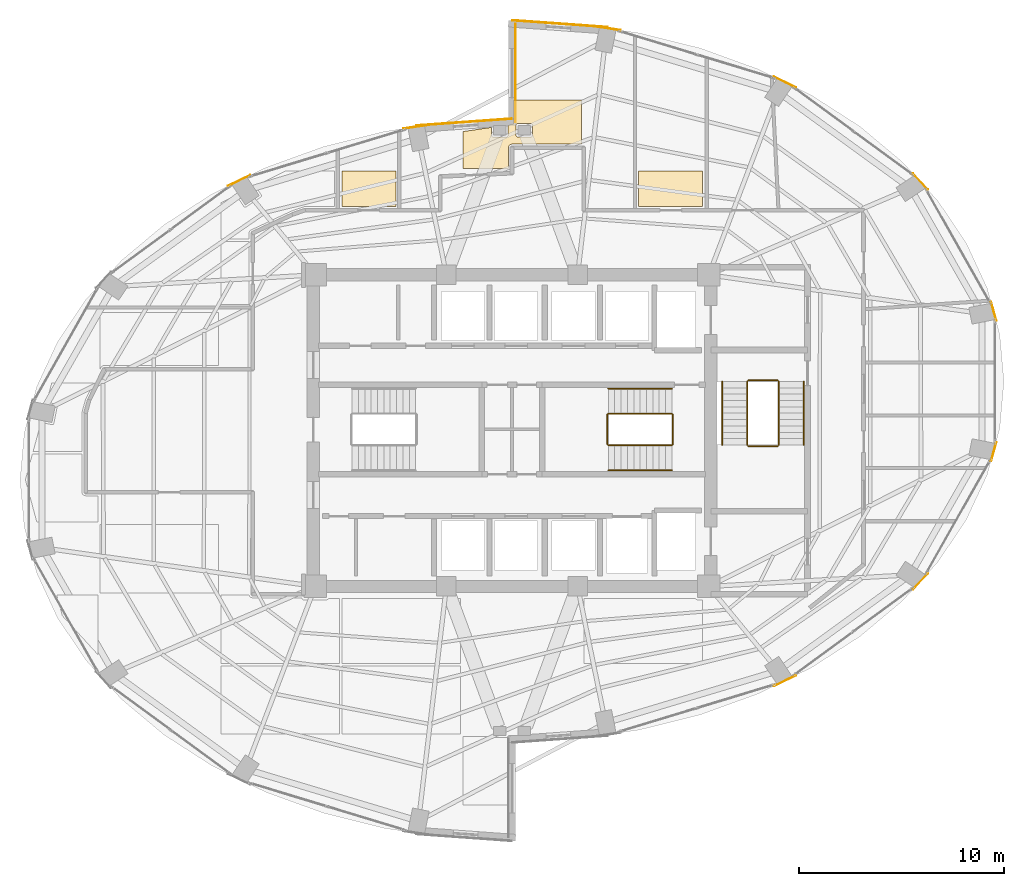
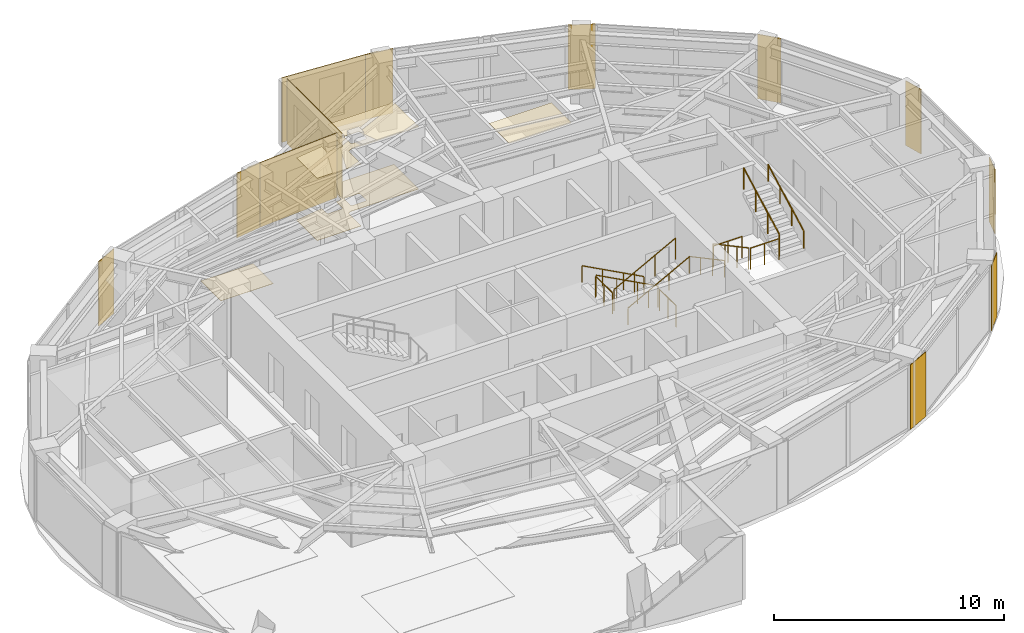
# One storey, part 20 of 20: 16 coverings, 12 railings.
"""IFC4 building model written with IfcOpenShell, lengths in metres."""

from ifc_helpers import new_model, si_unit, direction, frame, origin, origin_2d, place, context, subcontext, project, spatial, polyline, rectangle, circle, outline, extrude, material, layer, layer_set, type_object, element, save


model = new_model("IFC4")

# Units and contexts
model_context = context("Model", 3, precision=1e-05, world=origin(), true_north=direction((0.0, 1.0)))
body_context = subcontext(model_context, "Body", "Model", "MODEL_VIEW")
ifc_project = project(units=[si_unit("LENGTHUNIT", "METRE"), si_unit("AREAUNIT", "SQUARE_METRE"), si_unit("VOLUMEUNIT", "CUBIC_METRE"), si_unit("PLANEANGLEUNIT", "RADIAN"), si_unit("MASSUNIT", "GRAM", prefix="KILO")], contexts=[model_context])

# Site, building, storey
site_placement = place(None, origin())
site = spatial("IfcSite", under=ifc_project, at=site_placement, CompositionType="ELEMENT")
building_placement = place(site_placement, origin())
building = spatial("IfcBuilding", under=site, at=building_placement, Name="Lazwardi Medical Tower", CompositionType="ELEMENT")
storey_placement = place(building_placement, frame((0.0, 0.0, 160.176025390625)))
storey = spatial("IfcBuildingStorey", under=building, at=storey_placement, Name="L41", CompositionType="ELEMENT", Elevation=160.176025390625)

# Coverings
ifc_material_1 = material(Name="Anodised bronze aluminium cassette cladding", Category="aluminium")
ifc_layer_1 = layer(ifc_material_1, 0.030029296875)
ifc_layer_set_1 = layer_set([ifc_layer_1], Name="Anodised bronze aluminium cassette cladding")
covering_type_1 = type_object("IfcCoveringType", Name="COV-CLD-BRZ", PredefinedType="CLADDING", material=ifc_layer_set_1)
covering_1_placement = place(storey_placement, frame((49.31103515625, 15.798095703125, 0.0), z_axis=(0.0, 0.0, 1.0), x_axis=(0.898079014814, 0.439834154144, 0.0)))
element("IfcCovering", 1, at=covering_1_placement, inside=storey, type_object=covering_type_1, Name="L41 Mega-column bronze cassette cover M02", PredefinedType="CLADDING", context=body_context, shape_type="SweptSolid", body=[
    extrude(rectangle(XDim=1.200439453125, YDim=0.030029296875, at=origin_2d()), origin(), (0.0, 0.0, 1.0), 3.427978515625),
])
covering_2_placement = place(storey_placement, frame((55.92138671875, 20.643310546875, 0.0), z_axis=(0.0, 0.0, 1.0), x_axis=(0.673714459537, 0.738991763832, 0.0)))
element("IfcCovering", 2, at=covering_2_placement, inside=storey, type_object=covering_type_1, Name="L41 Mega-column bronze cassette cover M03", PredefinedType="CLADDING", context=body_context, shape_type="SweptSolid", body=[
    extrude(rectangle(XDim=1.0693359375, YDim=0.030029296875, at=origin_2d()), origin(), (0.0, 0.0, 1.0), 3.427978515625),
])
for number, where, z_axis, x_axis, name in (
    (3, (59.498779296875, 26.973876953125, 0.0), (0.0, 0.0, 1.0), (0.261828726257, 0.965114354938, 0.0), "L41 Mega-column bronze cassette cover M04"),
    (4, (59.498779296875, 33.826171875, 0.0), (0.0, 0.0, 1.0), (-0.261828726257, 0.965114354938, 0.0), "L41 Mega-column bronze cassette cover M05"),
):
    element("IfcCovering", number, at=place(storey_placement, frame(where, z_axis=z_axis, x_axis=x_axis)), inside=storey, type_object=covering_type_1, Name=name, PredefinedType="CLADDING", context=body_context, shape_type="SweptSolid", body=[
        extrude(rectangle(XDim=0.9658203125, YDim=0.030029296875, at=origin_2d()), origin(), (0.0, 0.0, 1.0), 3.427978515625),
    ])
covering_3_placement = place(storey_placement, frame((55.92138671875, 40.15673828125, 0.0), z_axis=(0.0, 0.0, 1.0), x_axis=(-0.673714459537, 0.738991763832, 0.0)))
element("IfcCovering", 5, at=covering_3_placement, inside=storey, type_object=covering_type_1, Name="L41 Mega-column bronze cassette cover M06", PredefinedType="CLADDING", context=body_context, shape_type="SweptSolid", body=[
    extrude(rectangle(XDim=1.0693359375, YDim=0.030029296875, at=origin_2d()), origin(), (0.0, 0.0, 1.0), 3.427978515625),
])
covering_4_placement = place(storey_placement, frame((49.31103515625, 45.001953125, 0.0), z_axis=(0.0, 0.0, 1.0), x_axis=(-0.898079014814, 0.439834154144, 0.0)))
element("IfcCovering", 6, at=covering_4_placement, inside=storey, type_object=covering_type_1, Name="L41 Mega-column bronze cassette cover M07", PredefinedType="CLADDING", context=body_context, shape_type="SweptSolid", body=[
    extrude(rectangle(XDim=1.200439453125, YDim=0.030029296875, at=origin_2d()), origin(), (0.0, 0.0, 1.0), 3.427978515625),
])
for number, where, z_axis, x_axis, name in (
    (7, (40.67431640625, 47.6240234375, 0.0), (0.0, 0.0, 1.0), (-0.989539138138, 0.144264666823, 0.0), "L41 Mega-column bronze cassette cover M08"),
    (8, (31.32568359375, 42.82421875, 0.0), (0.0, 0.0, 1.0), (-0.989539138138, -0.144264666823, 0.0), "L41 Mega-column bronze cassette cover M09"),
):
    element("IfcCovering", number, at=place(storey_placement, frame(where, z_axis=z_axis, x_axis=x_axis)), inside=storey, type_object=covering_type_1, Name=name, PredefinedType="CLADDING", context=body_context, shape_type="SweptSolid", body=[
        extrude(rectangle(XDim=1.28515625, YDim=0.030029296875, at=origin_2d()), origin(), (0.0, 0.0, 1.0), 3.427978515625),
    ])
covering_5_placement = place(storey_placement, frame((22.68896484375, 40.201904296875, 0.0), z_axis=(0.0, 0.0, 1.0), x_axis=(-0.898079014814, -0.439834154144, 0.0)))
element("IfcCovering", 9, at=covering_5_placement, inside=storey, type_object=covering_type_1, Name="L41 Mega-column bronze cassette cover M10", PredefinedType="CLADDING", context=body_context, shape_type="SweptSolid", body=[
    extrude(rectangle(XDim=1.200439453125, YDim=0.030029296875, at=origin_2d()), origin(), (0.0, 0.0, 1.0), 3.427978515625),
])
ifc_material_2 = material(Name="Turquoise glazed ceramic tilework cladding", Category="masonry")
ifc_layer_2 = layer(ifc_material_2, 0.034912109375)
ifc_layer_set_2 = layer_set([ifc_layer_2], Name="Turquoise glazed ceramic tilework cladding")
covering_type_2 = type_object("IfcCoveringType", Name="COV-CLD-TRQ", PredefinedType="CLADDING", material=ifc_layer_set_2)
covering_6_placement = place(storey_placement, frame((38.338134765625, 47.847412109375, 0.0), z_axis=(0.0, 0.0, 1.0), x_axis=(-0.997414510753, 0.071863020663, 0.0)))
element("IfcCovering", 10, at=covering_6_placement, inside=storey, type_object=covering_type_2, Name="L41 Turquoise glazed ceramic tilework cladding", PredefinedType="CLADDING", context=body_context, shape_type="SweptSolid", body=[
    extrude(rectangle(XDim=4.6630859375, YDim=0.034912109375, at=origin_2d()), origin(), (0.0, 0.0, 1.0), 3.427978515625),
])
covering_7_placement = place(storey_placement, frame((33.66162109375, 43.047607421875, 0.0), z_axis=(0.0, 0.0, 1.0), x_axis=(-0.997414134466, -0.071868243112, 0.0)))
element("IfcCovering", 11, at=covering_7_placement, inside=storey, type_object=covering_type_2, Name="L41 Turquoise glazed ceramic tilework cladding", PredefinedType="CLADDING", context=body_context, shape_type="SweptSolid", body=[
    extrude(rectangle(XDim=4.66259765625, YDim=0.034912109375, at=origin_2d()), origin(), (0.0, 0.0, 1.0), 3.427978515625),
])
covering_8_placement = place(storey_placement, frame((36.175537109375, 45.43994140625, 0.0), z_axis=(0.0, 0.0, 1.0), x_axis=(0.0, -1.0, 0.0)))
element("IfcCovering", 12, at=covering_8_placement, inside=storey, type_object=covering_type_2, Name="L41 Turquoise glazed ceramic tilework iwan panel", PredefinedType="CLADDING", context=body_context, shape_type="SweptSolid", body=[
    extrude(rectangle(XDim=4.800048828125, YDim=0.034912109375, at=origin_2d()), origin(), (0.0, 0.0, 1.0), 3.427978515625),
])
ifc_material_3 = material(Name="Acoustic mineral fibre tile")
ifc_layer_3 = layer(ifc_material_3, 0.02490234375)
ifc_layer_set_3 = layer_set([ifc_layer_3], Name="Acoustic mineral fibre tile")
covering_type_3 = type_object("IfcCoveringType", Name="COV-CLG-01", PredefinedType="CEILING", material=ifc_layer_set_3)
covering_9_placement = place(storey_placement, frame((0.0, 0.0, 3.282958984375)))
element("IfcCovering", 13, at=covering_9_placement, inside=storey, type_object=covering_type_3, Name="L41 Clinical Acoustic Ceiling 8", PredefinedType="CEILING", context=body_context, shape_type="SweptSolid", body=[
    extrude(outline(polyline([(36.080078125, 44.12255859375), (36.080078125, 43.02001953125), (36.07958984375, 43.012451171875), (36.07861328125, 43.0048828125), (36.076904296875, 42.99755859375), (36.07421875, 42.990234375), (36.071044921875, 42.9833984375), (36.0673828125, 42.976806640625), (36.06298828125, 42.970703125), (36.057861328125, 42.96484375), (36.052490234375, 42.959716796875), (36.04638671875, 42.954833984375), (36.0400390625, 42.95068359375), (36.033203125, 42.947265625), (36.0263671875, 42.9443359375), (36.01904296875, 42.9423828125), (36.011474609375, 42.94091796875), (35.798583984375, 42.909912109375), (35.799560546875, 42.90283203125), (35.800048828125, 42.89501953125), (35.800048828125, 42.405029296875), (35.799560546875, 42.397216796875), (35.798583984375, 42.389404296875), (35.796630859375, 42.3818359375), (35.7939453125, 42.37451171875), (35.79052734375, 42.3671875), (35.78662109375, 42.360595703125), (35.78173828125, 42.354248046875), (35.776611328125, 42.348388671875), (35.770751953125, 42.34326171875), (35.764404296875, 42.33837890625), (35.7578125, 42.33447265625), (35.75048828125, 42.3310546875), (35.7431640625, 42.328369140625), (35.735595703125, 42.326416015625), (35.727783203125, 42.325439453125), (35.719970703125, 42.324951171875), (35.080078125, 42.324951171875), (35.072265625, 42.325439453125), (35.064453125, 42.326416015625), (35.056884765625, 42.328369140625), (35.04931640625, 42.3310546875), (35.042236328125, 42.33447265625), (35.03564453125, 42.33837890625), (35.029296875, 42.34326171875), (35.0234375, 42.348388671875), (35.018310546875, 42.354248046875), (35.013427734375, 42.360595703125), (35.009521484375, 42.3671875), (35.006103515625, 42.37451171875), (35.00341796875, 42.3818359375), (35.00146484375, 42.389404296875), (35.00048828125, 42.397216796875), (35.0, 42.405029296875), (35.0, 42.793701171875), (33.61279296875, 42.591796875), (33.61279296875, 40.79248046875), (35.824951171875, 40.79248046875), (35.824951171875, 41.800048828125), (35.8251953125, 41.80419921875), (35.82568359375, 41.813720703125), (35.826416015625, 41.820556640625), (35.82763671875, 41.82958984375), (35.8291015625, 41.838134765625), (35.83154296875, 41.84716796875), (35.83349609375, 41.854248046875), (35.836669921875, 41.863037109375), (35.840087890625, 41.870849609375), (35.843994140625, 41.879150390625), (35.84765625, 41.885986328125), (35.852294921875, 41.89404296875), (35.85693359375, 41.900634765625), (35.862548828125, 41.908203125), (35.8671875, 41.913818359375), (35.873291015625, 41.920654296875), (35.87939453125, 41.9267578125), (35.88623046875, 41.932861328125), (35.891845703125, 41.9375), (35.8994140625, 41.943115234375), (35.906005859375, 41.947509765625), (35.9140625, 41.952392578125), (35.9208984375, 41.9560546875), (35.92919921875, 41.9599609375), (35.93701171875, 41.96337890625), (35.94580078125, 41.96630859375), (35.952880859375, 41.968505859375), (35.9619140625, 41.970703125), (35.97021484375, 41.972412109375), (35.9794921875, 41.9736328125), (35.986328125, 41.974365234375), (35.99560546875, 41.974853515625), (36.0, 41.97509765625), (39.392822265625, 41.97509765625), (39.392822265625, 44.12255859375), (36.080078125, 44.12255859375)]), holes=[polyline([(36.943115234375, 42.328369140625), (36.935546875, 42.326416015625), (36.927734375, 42.325439453125), (36.919921875, 42.324951171875), (36.280029296875, 42.324951171875), (36.272216796875, 42.325439453125), (36.264404296875, 42.326416015625), (36.2568359375, 42.328369140625), (36.24951171875, 42.3310546875), (36.2421875, 42.33447265625), (36.235595703125, 42.33837890625), (36.229248046875, 42.34326171875), (36.223388671875, 42.348388671875), (36.21826171875, 42.354248046875), (36.21337890625, 42.360595703125), (36.20947265625, 42.3671875), (36.2060546875, 42.37451171875), (36.203369140625, 42.3818359375), (36.201416015625, 42.389404296875), (36.200439453125, 42.397216796875), (36.199951171875, 42.405029296875), (36.199951171875, 42.89501953125), (36.200439453125, 42.90283203125), (36.201416015625, 42.91064453125), (36.203369140625, 42.918212890625), (36.2060546875, 42.925537109375), (36.20947265625, 42.9326171875), (36.21337890625, 42.939453125), (36.21826171875, 42.94580078125), (36.223388671875, 42.95166015625), (36.229248046875, 42.956787109375), (36.235595703125, 42.96142578125), (36.2421875, 42.965576171875), (36.24951171875, 42.968994140625), (36.2568359375, 42.9716796875), (36.264404296875, 42.973388671875), (36.272216796875, 42.974609375), (36.280029296875, 42.97509765625), (36.919921875, 42.97509765625), (36.927734375, 42.974609375), (36.935546875, 42.973388671875), (36.943115234375, 42.9716796875), (36.95068359375, 42.968994140625), (36.957763671875, 42.965576171875), (36.96435546875, 42.96142578125), (36.970703125, 42.956787109375), (36.9765625, 42.95166015625), (36.981689453125, 42.94580078125), (36.986572265625, 42.939453125), (36.990478515625, 42.9326171875), (36.993896484375, 42.925537109375), (36.99658203125, 42.918212890625), (36.99853515625, 42.91064453125), (36.99951171875, 42.90283203125), (37.0, 42.89501953125), (37.0, 42.405029296875), (36.99951171875, 42.397216796875), (36.99853515625, 42.389404296875), (36.99658203125, 42.3818359375), (36.993896484375, 42.37451171875), (36.990478515625, 42.3671875), (36.986572265625, 42.360595703125), (36.981689453125, 42.354248046875), (36.9765625, 42.348388671875), (36.970703125, 42.34326171875), (36.96435546875, 42.33837890625), (36.957763671875, 42.33447265625), (36.95068359375, 42.3310546875), (36.943115234375, 42.328369140625)])]), origin(), (0.0, 0.0, 1.0), 0.02490234375),
])
covering_10_placement = place(storey_placement, frame((0.0, 0.0, 3.282958984375)))
element("IfcCovering", 14, at=covering_10_placement, inside=storey, type_object=covering_type_3, Name="L41 Clinical Acoustic Ceiling 10", PredefinedType="CEILING", context=body_context, shape_type="SweptSolid", body=[
    extrude(outline(polyline([(42.1650390625, 40.672607421875), (42.1650390625, 38.925048828125), (45.29296875, 38.925048828125), (45.29296875, 40.672607421875), (42.1650390625, 40.672607421875)])), origin(), (0.0, 0.0, 1.0), 0.02490234375),
])
ifc_material_4 = material(Name="Anti-static hospital vinyl sheet flooring")
ifc_layer_4 = layer(ifc_material_4, 0.014892578125)
ifc_layer_set_4 = layer_set([ifc_layer_4], Name="Anti-static hospital vinyl sheet flooring")
covering_type_4 = type_object("IfcCoveringType", Name="COV-FLR-01", PredefinedType="FLOORING", material=ifc_layer_set_4)
covering_11_placement = place(storey_placement, origin())
element("IfcCovering", 15, at=covering_11_placement, inside=storey, type_object=covering_type_4, Name="L41 Clinical Vinyl Flooring 8", PredefinedType="FLOORING", context=body_context, shape_type="SweptSolid", body=[
    extrude(outline(polyline([(27.712890625, 38.925048828125), (30.3349609375, 38.925048828125), (30.3349609375, 40.672607421875), (27.712890625, 40.672607421875), (27.712890625, 38.925048828125)])), origin(), (0.0, 0.0, 1.0), 0.014892578125),
])
covering_12_placement = place(storey_placement, origin())
element("IfcCovering", 16, at=covering_12_placement, inside=storey, type_object=covering_type_4, Name="L41 Clinical Vinyl Flooring 10", PredefinedType="FLOORING", context=body_context, shape_type="SweptSolid", body=[
    extrude(outline(polyline([(36.080078125, 44.12255859375), (36.080078125, 43.02001953125), (36.07958984375, 43.012451171875), (36.07861328125, 43.0048828125), (36.076904296875, 42.99755859375), (36.07421875, 42.990234375), (36.071044921875, 42.9833984375), (36.0673828125, 42.976806640625), (36.06298828125, 42.970703125), (36.057861328125, 42.96484375), (36.052490234375, 42.959716796875), (36.04638671875, 42.954833984375), (36.0400390625, 42.95068359375), (36.033203125, 42.947265625), (36.0263671875, 42.9443359375), (36.01904296875, 42.9423828125), (36.011474609375, 42.94091796875), (35.798583984375, 42.909912109375), (35.799560546875, 42.90283203125), (35.800048828125, 42.89501953125), (35.800048828125, 42.405029296875), (35.799560546875, 42.397216796875), (35.798583984375, 42.389404296875), (35.796630859375, 42.3818359375), (35.7939453125, 42.37451171875), (35.79052734375, 42.3671875), (35.78662109375, 42.360595703125), (35.78173828125, 42.354248046875), (35.776611328125, 42.348388671875), (35.770751953125, 42.34326171875), (35.764404296875, 42.33837890625), (35.7578125, 42.33447265625), (35.75048828125, 42.3310546875), (35.7431640625, 42.328369140625), (35.735595703125, 42.326416015625), (35.727783203125, 42.325439453125), (35.719970703125, 42.324951171875), (35.080078125, 42.324951171875), (35.072265625, 42.325439453125), (35.064453125, 42.326416015625), (35.056884765625, 42.328369140625), (35.04931640625, 42.3310546875), (35.042236328125, 42.33447265625), (35.03564453125, 42.33837890625), (35.029296875, 42.34326171875), (35.0234375, 42.348388671875), (35.018310546875, 42.354248046875), (35.013427734375, 42.360595703125), (35.009521484375, 42.3671875), (35.006103515625, 42.37451171875), (35.00341796875, 42.3818359375), (35.00146484375, 42.389404296875), (35.00048828125, 42.397216796875), (35.0, 42.405029296875), (35.0, 42.793701171875), (33.61279296875, 42.591796875), (33.61279296875, 40.79248046875), (35.824951171875, 40.79248046875), (35.824951171875, 41.800048828125), (35.8251953125, 41.80419921875), (35.82568359375, 41.813720703125), (35.826416015625, 41.820556640625), (35.82763671875, 41.82958984375), (35.8291015625, 41.838134765625), (35.83154296875, 41.84716796875), (35.83349609375, 41.854248046875), (35.836669921875, 41.863037109375), (35.840087890625, 41.870849609375), (35.843994140625, 41.879150390625), (35.84765625, 41.885986328125), (35.852294921875, 41.89404296875), (35.85693359375, 41.900634765625), (35.862548828125, 41.908203125), (35.8671875, 41.913818359375), (35.873291015625, 41.920654296875), (35.87939453125, 41.9267578125), (35.88623046875, 41.932861328125), (35.891845703125, 41.9375), (35.8994140625, 41.943115234375), (35.906005859375, 41.947509765625), (35.9140625, 41.952392578125), (35.9208984375, 41.9560546875), (35.92919921875, 41.9599609375), (35.93701171875, 41.96337890625), (35.94580078125, 41.96630859375), (35.952880859375, 41.968505859375), (35.9619140625, 41.970703125), (35.97021484375, 41.972412109375), (35.9794921875, 41.9736328125), (35.986328125, 41.974365234375), (35.99560546875, 41.974853515625), (36.0, 41.97509765625), (39.392822265625, 41.97509765625), (39.392822265625, 44.12255859375), (36.080078125, 44.12255859375)]), holes=[polyline([(36.943115234375, 42.328369140625), (36.935546875, 42.326416015625), (36.927734375, 42.325439453125), (36.919921875, 42.324951171875), (36.280029296875, 42.324951171875), (36.272216796875, 42.325439453125), (36.264404296875, 42.326416015625), (36.2568359375, 42.328369140625), (36.24951171875, 42.3310546875), (36.2421875, 42.33447265625), (36.235595703125, 42.33837890625), (36.229248046875, 42.34326171875), (36.223388671875, 42.348388671875), (36.21826171875, 42.354248046875), (36.21337890625, 42.360595703125), (36.20947265625, 42.3671875), (36.2060546875, 42.37451171875), (36.203369140625, 42.3818359375), (36.201416015625, 42.389404296875), (36.200439453125, 42.397216796875), (36.199951171875, 42.405029296875), (36.199951171875, 42.89501953125), (36.200439453125, 42.90283203125), (36.201416015625, 42.91064453125), (36.203369140625, 42.918212890625), (36.2060546875, 42.925537109375), (36.20947265625, 42.9326171875), (36.21337890625, 42.939453125), (36.21826171875, 42.94580078125), (36.223388671875, 42.95166015625), (36.229248046875, 42.956787109375), (36.235595703125, 42.96142578125), (36.2421875, 42.965576171875), (36.24951171875, 42.968994140625), (36.2568359375, 42.9716796875), (36.264404296875, 42.973388671875), (36.272216796875, 42.974609375), (36.280029296875, 42.97509765625), (36.919921875, 42.97509765625), (36.927734375, 42.974609375), (36.935546875, 42.973388671875), (36.943115234375, 42.9716796875), (36.95068359375, 42.968994140625), (36.957763671875, 42.965576171875), (36.96435546875, 42.96142578125), (36.970703125, 42.956787109375), (36.9765625, 42.95166015625), (36.981689453125, 42.94580078125), (36.986572265625, 42.939453125), (36.990478515625, 42.9326171875), (36.993896484375, 42.925537109375), (36.99658203125, 42.918212890625), (36.99853515625, 42.91064453125), (36.99951171875, 42.90283203125), (37.0, 42.89501953125), (37.0, 42.405029296875), (36.99951171875, 42.397216796875), (36.99853515625, 42.389404296875), (36.99658203125, 42.3818359375), (36.993896484375, 42.37451171875), (36.990478515625, 42.3671875), (36.986572265625, 42.360595703125), (36.981689453125, 42.354248046875), (36.9765625, 42.348388671875), (36.970703125, 42.34326171875), (36.96435546875, 42.33837890625), (36.957763671875, 42.33447265625), (36.95068359375, 42.3310546875), (36.943115234375, 42.328369140625)])]), origin(), (0.0, 0.0, 1.0), 0.014892578125),
])

# Railings
ifc_material_5 = material(Name="Stainless steel Grade 316", Category="steel")
railing_type_1 = type_object("IfcRailingType", Name="RLG-GRD-1150", PredefinedType="GUARDRAIL", material=ifc_material_5)
railing_1_placement = place(storey_placement, frame((43.800048828125, 28.830078125, 0.165771484375)))
element("IfcRailing", 17, at=railing_1_placement, inside=storey, type_object=railing_type_1, Name="L41 ST2 stair guard 1", PredefinedType="GUARDRAIL", context=body_context, shape_type="SweptSolid", body=[
    extrude(circle(Radius=0.02392578125, at=origin_2d()), frame((0.0, 0.0, 1.1259765625), z_axis=(-0.881783298633, 0.0, 0.471654761719), x_axis=(0.0, -1.0, 0.0)), (0.0, 0.0, 1.0), 3.515625),
    extrude(circle(Radius=0.02099609375, at=origin_2d()), origin(), (0.0, 0.0, 1.0), 1.099853515625),
    extrude(circle(Radius=0.02099609375, at=origin_2d()), frame((-1.033447265625, 0.0, 0.552734375)), (0.0, 0.0, 1.0), 1.099853515625),
    extrude(circle(Radius=0.02099609375, at=origin_2d()), frame((-2.066650390625, 0.0, 1.10546875)), (0.0, 0.0, 1.0), 1.099853515625),
    extrude(circle(Radius=0.02099609375, at=origin_2d()), frame((-3.10009765625, 0.0, 1.658203125)), (0.0, 0.0, 1.0), 1.099853515625),
])
railing_2_placement = place(storey_placement, frame((40.64990234375, 28.780029296875, 1.823974609375)))
element("IfcRailing", 18, at=railing_2_placement, inside=storey, type_object=railing_type_1, Name="L41 ST2 stair guard 2", PredefinedType="GUARDRAIL", context=body_context, shape_type="SweptSolid", body=[
    extrude(circle(Radius=0.02392578125, at=origin_2d()), frame((0.0, 0.0, 1.1259765625), z_axis=(0.0, -1.0, 0.0), x_axis=(1.0, 0.0, 0.0)), (0.0, 0.0, 1.0), 1.43994140625),
    extrude(circle(Radius=0.02099609375, at=origin_2d()), origin(), (0.0, 0.0, 1.0), 1.099853515625),
    extrude(circle(Radius=0.02099609375, at=origin_2d()), frame((0.0, -0.719970703125, 0.0)), (0.0, 0.0, 1.0), 1.099853515625),
    extrude(circle(Radius=0.02099609375, at=origin_2d()), frame((0.0, -1.43994140625, 0.0)), (0.0, 0.0, 1.0), 1.099853515625),
])
railing_3_placement = place(storey_placement, frame((40.699951171875, 27.2900390625, 1.98974609375)))
element("IfcRailing", 19, at=railing_3_placement, inside=storey, type_object=railing_type_1, Name="L41 ST2 stair guard 3", PredefinedType="GUARDRAIL", context=body_context, shape_type="SweptSolid", body=[
    extrude(circle(Radius=0.02392578125, at=origin_2d()), frame((0.0, 0.0, 1.1259765625), z_axis=(0.881783298633, 0.0, 0.471654761719), x_axis=(0.0, 1.0, 0.0)), (0.0, 0.0, 1.0), 3.515625),
    extrude(circle(Radius=0.02099609375, at=origin_2d()), origin(), (0.0, 0.0, 1.0), 1.099853515625),
    extrude(circle(Radius=0.02099609375, at=origin_2d()), frame((1.033447265625, 0.0, 0.552734375)), (0.0, 0.0, 1.0), 1.099853515625),
    extrude(circle(Radius=0.02099609375, at=origin_2d()), frame((2.066650390625, 0.0, 1.10546875)), (0.0, 0.0, 1.0), 1.099853515625),
    extrude(circle(Radius=0.02099609375, at=origin_2d()), frame((3.10009765625, 0.0, 1.658203125)), (0.0, 0.0, 1.0), 1.099853515625),
])
railing_4_placement = place(storey_placement, frame((43.85009765625, 28.780029296875, 0.0)))
element("IfcRailing", 20, at=railing_4_placement, inside=storey, type_object=railing_type_1, Name="L41 ST2 stair guard 4", PredefinedType="GUARDRAIL", context=body_context, shape_type="SweptSolid", body=[
    extrude(circle(Radius=0.02392578125, at=origin_2d()), frame((0.0, 0.0, 1.1259765625), z_axis=(0.0, -1.0, 0.0), x_axis=(1.0, 0.0, 0.0)), (0.0, 0.0, 1.0), 1.43994140625),
    extrude(circle(Radius=0.02099609375, at=origin_2d()), origin(), (0.0, 0.0, 1.0), 1.099853515625),
    extrude(circle(Radius=0.02099609375, at=origin_2d()), frame((0.0, -0.719970703125, 0.0)), (0.0, 0.0, 1.0), 1.099853515625),
    extrude(circle(Radius=0.02099609375, at=origin_2d()), frame((0.0, -1.43994140625, 0.0)), (0.0, 0.0, 1.0), 1.099853515625),
])
railing_5_placement = place(storey_placement, frame((47.469970703125, 30.39990234375, 0.165771484375)))
element("IfcRailing", 21, at=railing_5_placement, inside=storey, type_object=railing_type_1, Name="L41 ST3 stair guard 1", PredefinedType="GUARDRAIL", context=body_context, shape_type="SweptSolid", body=[
    extrude(circle(Radius=0.02392578125, at=origin_2d()), frame((0.0, 0.0, 1.1259765625), z_axis=(0.0, -0.881767849116, 0.471683644262), x_axis=(1.0, 0.0, 0.0)), (0.0, 0.0, 1.0), 3.515380859375),
    extrude(circle(Radius=0.02099609375, at=origin_2d()), origin(), (0.0, 0.0, 1.0), 1.099853515625),
    extrude(circle(Radius=0.02099609375, at=origin_2d()), frame((0.0, -1.033203125, 0.552734375)), (0.0, 0.0, 1.0), 1.099853515625),
    extrude(circle(Radius=0.02099609375, at=origin_2d()), frame((0.0, -2.066650390625, 1.10546875)), (0.0, 0.0, 1.0), 1.099853515625),
    extrude(circle(Radius=0.02099609375, at=origin_2d()), frame((0.0, -3.099853515625, 1.658203125)), (0.0, 0.0, 1.0), 1.099853515625),
])
railing_6_placement = place(storey_placement, frame((47.52001953125, 27.25, 1.823974609375)))
element("IfcRailing", 22, at=railing_6_placement, inside=storey, type_object=railing_type_1, Name="L41 ST3 stair guard 2", PredefinedType="GUARDRAIL", context=body_context, shape_type="SweptSolid", body=[
    extrude(circle(Radius=0.02392578125, at=origin_2d()), frame((0.0, 0.0, 1.1259765625), z_axis=(1.0, 0.0, 0.0), x_axis=(0.0, 1.0, 0.0)), (0.0, 0.0, 1.0), 1.43994140625),
    extrude(circle(Radius=0.02099609375, at=origin_2d()), origin(), (0.0, 0.0, 1.0), 1.099853515625),
    extrude(circle(Radius=0.02099609375, at=origin_2d()), frame((0.719970703125, 0.0, 0.0)), (0.0, 0.0, 1.0), 1.099853515625),
    extrude(circle(Radius=0.02099609375, at=origin_2d()), frame((1.43994140625, 0.0, 0.0)), (0.0, 0.0, 1.0), 1.099853515625),
])
railing_7_placement = place(storey_placement, frame((49.010009765625, 27.300048828125, 1.98974609375)))
element("IfcRailing", 23, at=railing_7_placement, inside=storey, type_object=railing_type_1, Name="L41 ST3 stair guard 3", PredefinedType="GUARDRAIL", context=body_context, shape_type="SweptSolid", body=[
    extrude(circle(Radius=0.02392578125, at=origin_2d()), frame((0.0, 0.0, 1.1259765625), z_axis=(0.0, 0.881767849116, 0.471683644262), x_axis=(-1.0, 0.0, 0.0)), (0.0, 0.0, 1.0), 3.515380859375),
    extrude(circle(Radius=0.02099609375, at=origin_2d()), origin(), (0.0, 0.0, 1.0), 1.099853515625),
    extrude(circle(Radius=0.02099609375, at=origin_2d()), frame((0.0, 1.033203125, 0.552734375)), (0.0, 0.0, 1.0), 1.099853515625),
    extrude(circle(Radius=0.02099609375, at=origin_2d()), frame((0.0, 2.066650390625, 1.10546875)), (0.0, 0.0, 1.0), 1.099853515625),
    extrude(circle(Radius=0.02099609375, at=origin_2d()), frame((0.0, 3.099853515625, 1.658203125)), (0.0, 0.0, 1.0), 1.099853515625),
])
railing_8_placement = place(storey_placement, frame((47.52001953125, 30.449951171875, 0.0)))
element("IfcRailing", 24, at=railing_8_placement, inside=storey, type_object=railing_type_1, Name="L41 ST3 stair guard 4", PredefinedType="GUARDRAIL", context=body_context, shape_type="SweptSolid", body=[
    extrude(circle(Radius=0.02392578125, at=origin_2d()), frame((0.0, 0.0, 1.1259765625), z_axis=(1.0, 0.0, 0.0), x_axis=(0.0, 1.0, 0.0)), (0.0, 0.0, 1.0), 1.43994140625),
    extrude(circle(Radius=0.02099609375, at=origin_2d()), origin(), (0.0, 0.0, 1.0), 1.099853515625),
    extrude(circle(Radius=0.02099609375, at=origin_2d()), frame((0.719970703125, 0.0, 0.0)), (0.0, 0.0, 1.0), 1.099853515625),
    extrude(circle(Radius=0.02099609375, at=origin_2d()), frame((1.43994140625, 0.0, 0.0)), (0.0, 0.0, 1.0), 1.099853515625),
])
railing_type_2 = type_object("IfcRailingType", Name="RLG-HND-920", PredefinedType="HANDRAIL", material=ifc_material_5)
railing_9_placement = place(storey_placement, frame((43.800048828125, 30.050048828125, 0.165771484375)))
element("IfcRailing", 25, at=railing_9_placement, inside=storey, type_object=railing_type_2, Name="L41 ST2 stair handrail 1", PredefinedType="HANDRAIL", context=body_context, shape_type="SweptSolid", body=[
    extrude(circle(Radius=0.02392578125, at=origin_2d()), frame((0.0, 0.0, 0.8857421875), z_axis=(-0.881783298633, 0.0, 0.471654761719), x_axis=(0.0, -1.0, 0.0)), (0.0, 0.0, 1.0), 3.515625),
    extrude(circle(Radius=0.02099609375, at=origin_2d()), origin(), (0.0, 0.0, 1.0), 0.85986328125),
    extrude(circle(Radius=0.02099609375, at=origin_2d()), frame((-1.033447265625, 0.0, 0.552734375)), (0.0, 0.0, 1.0), 0.85986328125),
    extrude(circle(Radius=0.02099609375, at=origin_2d()), frame((-2.066650390625, 0.0, 1.10546875)), (0.0, 0.0, 1.0), 0.85986328125),
    extrude(circle(Radius=0.02099609375, at=origin_2d()), frame((-3.10009765625, 0.0, 1.658203125)), (0.0, 0.0, 1.0), 0.85986328125),
])
railing_10_placement = place(storey_placement, frame((40.699951171875, 26.070068359375, 1.98974609375)))
element("IfcRailing", 26, at=railing_10_placement, inside=storey, type_object=railing_type_2, Name="L41 ST2 stair handrail 2", PredefinedType="HANDRAIL", context=body_context, shape_type="SweptSolid", body=[
    extrude(circle(Radius=0.02392578125, at=origin_2d()), frame((0.0, 0.0, 0.8857421875), z_axis=(0.881783298633, 0.0, 0.471654761719), x_axis=(0.0, 1.0, 0.0)), (0.0, 0.0, 1.0), 3.515625),
    extrude(circle(Radius=0.02099609375, at=origin_2d()), origin(), (0.0, 0.0, 1.0), 0.85986328125),
    extrude(circle(Radius=0.02099609375, at=origin_2d()), frame((1.033447265625, 0.0, 0.552734375)), (0.0, 0.0, 1.0), 0.85986328125),
    extrude(circle(Radius=0.02099609375, at=origin_2d()), frame((2.066650390625, 0.0, 1.10546875)), (0.0, 0.0, 1.0), 0.85986328125),
    extrude(circle(Radius=0.02099609375, at=origin_2d()), frame((3.10009765625, 0.0, 1.658203125)), (0.0, 0.0, 1.0), 0.85986328125),
])
railing_11_placement = place(storey_placement, frame((46.25, 30.39990234375, 0.165771484375)))
element("IfcRailing", 27, at=railing_11_placement, inside=storey, type_object=railing_type_2, Name="L41 ST3 stair handrail 1", PredefinedType="HANDRAIL", context=body_context, shape_type="SweptSolid", body=[
    extrude(circle(Radius=0.02392578125, at=origin_2d()), frame((0.0, 0.0, 0.8857421875), z_axis=(0.0, -0.881767849116, 0.471683644262), x_axis=(1.0, 0.0, 0.0)), (0.0, 0.0, 1.0), 3.515380859375),
    extrude(circle(Radius=0.02099609375, at=origin_2d()), origin(), (0.0, 0.0, 1.0), 0.85986328125),
    extrude(circle(Radius=0.02099609375, at=origin_2d()), frame((0.0, -1.033203125, 0.552734375)), (0.0, 0.0, 1.0), 0.85986328125),
    extrude(circle(Radius=0.02099609375, at=origin_2d()), frame((0.0, -2.066650390625, 1.10546875)), (0.0, 0.0, 1.0), 0.85986328125),
    extrude(circle(Radius=0.02099609375, at=origin_2d()), frame((0.0, -3.099853515625, 1.658203125)), (0.0, 0.0, 1.0), 0.85986328125),
])
railing_12_placement = place(storey_placement, frame((50.22998046875, 27.300048828125, 1.98974609375)))
element("IfcRailing", 28, at=railing_12_placement, inside=storey, type_object=railing_type_2, Name="L41 ST3 stair handrail 2", PredefinedType="HANDRAIL", context=body_context, shape_type="SweptSolid", body=[
    extrude(circle(Radius=0.02392578125, at=origin_2d()), frame((0.0, 0.0, 0.8857421875), z_axis=(0.0, 0.881767849116, 0.471683644262), x_axis=(-1.0, 0.0, 0.0)), (0.0, 0.0, 1.0), 3.515380859375),
    extrude(circle(Radius=0.02099609375, at=origin_2d()), origin(), (0.0, 0.0, 1.0), 0.85986328125),
    extrude(circle(Radius=0.02099609375, at=origin_2d()), frame((0.0, 1.033203125, 0.552734375)), (0.0, 0.0, 1.0), 0.85986328125),
    extrude(circle(Radius=0.02099609375, at=origin_2d()), frame((0.0, 2.066650390625, 1.10546875)), (0.0, 0.0, 1.0), 0.85986328125),
    extrude(circle(Radius=0.02099609375, at=origin_2d()), frame((0.0, 3.099853515625, 1.658203125)), (0.0, 0.0, 1.0), 0.85986328125),
])

save(model, "model.ifc")
